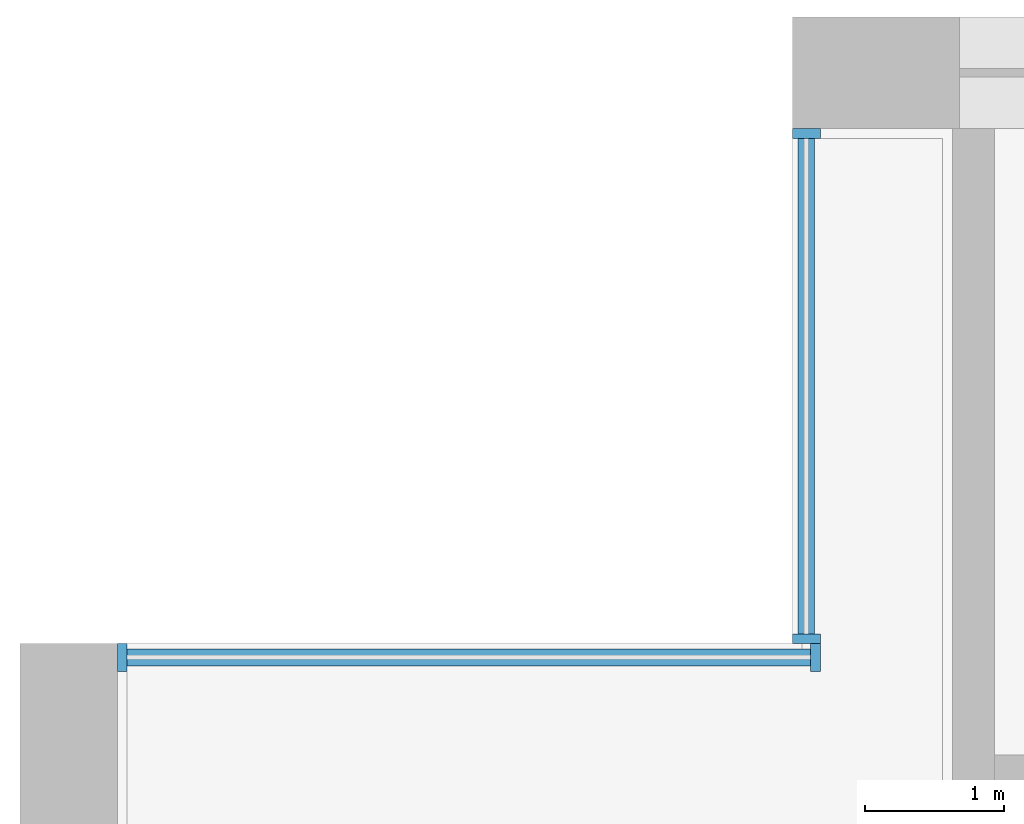
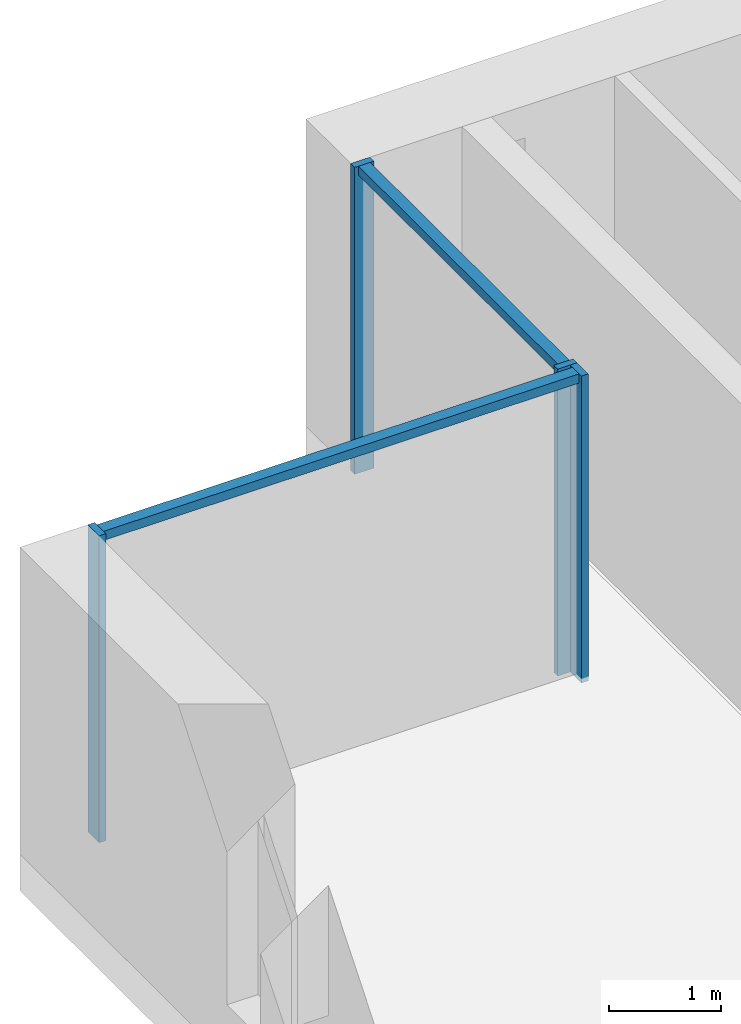
# One storey, part 4 of 15: 6 members, 2 elements without a shape of their own.
"""IFC4 building model written with IfcOpenShell, lengths in metres."""

from ifc_helpers import new_model, si_unit, direction, frame, origin, origin_2d, place, context, subcontext, project, spatial, rectangle, extrude, material, material_profile, profile_set, type_object, element, aggregate, save


model = new_model("IFC4")

# Units and contexts
model_context = context("Model", 3, precision=1e-05, world=origin(), true_north=direction((0.0, 1.0)))
body_context = subcontext(model_context, "Body", "Model", "MODEL_VIEW")
ifc_project = project(units=[si_unit("LENGTHUNIT", "METRE"), si_unit("AREAUNIT", "SQUARE_METRE"), si_unit("VOLUMEUNIT", "CUBIC_METRE"), si_unit("PLANEANGLEUNIT", "RADIAN"), si_unit("MASSUNIT", "GRAM", prefix="KILO")], contexts=[model_context])

# Site, building, storey
site_placement = place(None, origin())
site = spatial("IfcSite", under=ifc_project, at=site_placement, CompositionType="ELEMENT")
building_placement = place(site_placement, origin())
building = spatial("IfcBuilding", under=site, at=building_placement, Name="Calvaro Tower", CompositionType="ELEMENT")
storey_placement = place(building_placement, frame((0.0, 0.0, 113.75)))
storey = spatial("IfcBuildingStorey", under=building, at=storey_placement, Name="L28", CompositionType="ELEMENT", Elevation=113.75)

# Curtain wall, members
ifc_material_1 = material(Name="Anodised aluminium", Category="aluminium")
curtain_wall_type = type_object("IfcCurtainWallType", Name="Office curtain wall, middle zone", PredefinedType="NOTDEFINED", material=ifc_material_1)
curtain_wall_1_placement = place(storey_placement, origin())
curtain_wall_1 = element("IfcCurtainWall", 1, at=curtain_wall_1_placement, inside=storey, type_object=curtain_wall_type, Name="CW2 corner curtain wall", PredefinedType="NOTDEFINED")
ifc_material_2 = material(Name="Anodised aluminium", Category="aluminium")
ifc_material_profile_1 = material_profile(ifc_material_2, rectangle(XDim=0.199951171875, YDim=0.070068359375, at=origin_2d()), Name="Mullion S2 70 x 200")
ifc_profile_set_1 = profile_set([ifc_material_profile_1], Name="Anodised aluminium")
member_type_1 = type_object("IfcMemberType", Name="Mullion S2 70 x 200", PredefinedType="MULLION", material=ifc_profile_set_1)
member_1_placement = place(storey_placement, frame((5.64990234375, 41.534912109375, 0.0), z_axis=(0.0, 0.0, 1.0), x_axis=(-1.0, 0.0, 0.0)))
member_1 = element("IfcMember", 2, at=member_1_placement, type_object=member_type_1, Name="CW2 mullion 1", PredefinedType="MULLION", context=body_context, shape_type="SweptSolid", body=[
    extrude(rectangle(XDim=0.199951171875, YDim=0.070068359375, at=origin_2d()), origin(), (0.0, 0.0, 1.0), 3.35009765625),
])
member_2_placement = place(storey_placement, frame((5.64990234375, 45.1650390625, 0.0), z_axis=(0.0, 0.0, 1.0), x_axis=(-1.0, 0.0, 0.0)))
member_2 = element("IfcMember", 3, at=member_2_placement, type_object=member_type_1, Name="CW2 mullion 2", PredefinedType="MULLION", context=body_context, shape_type="SweptSolid", body=[
    extrude(rectangle(XDim=0.199951171875, YDim=0.070068359375, at=origin_2d()), origin(), (0.0, 0.0, 1.0), 3.35009765625),
])

curtain_wall_2_placement = place(storey_placement, origin())
curtain_wall_2 = element("IfcCurtainWall", 4, at=curtain_wall_2_placement, inside=storey, type_object=curtain_wall_type, Name="CW2 corner curtain wall", PredefinedType="NOTDEFINED")
member_3_placement = place(storey_placement, frame((0.735107421875, 41.39990234375, 0.0), z_axis=(0.0, 0.0, 1.0), x_axis=(0.0, 1.0, 0.0)))
member_3 = element("IfcMember", 5, at=member_3_placement, type_object=member_type_1, Name="CW2 mullion 1", PredefinedType="MULLION", context=body_context, shape_type="SweptSolid", body=[
    extrude(rectangle(XDim=0.199951171875, YDim=0.070068359375, at=origin_2d()), origin(), (0.0, 0.0, 1.0), 3.35009765625),
])
member_4_placement = place(storey_placement, frame((5.715087890625, 41.39990234375, 0.0), z_axis=(0.0, 0.0, 1.0), x_axis=(0.0, 1.0, 0.0)))
member_4 = element("IfcMember", 6, at=member_4_placement, type_object=member_type_1, Name="CW2 mullion 2", PredefinedType="MULLION", context=body_context, shape_type="SweptSolid", body=[
    extrude(rectangle(XDim=0.199951171875, YDim=0.070068359375, at=origin_2d()), origin(), (0.0, 0.0, 1.0), 3.35009765625),
])

# Member
ifc_material_3 = material(Name="Anodised aluminium", Category="aluminium")
ifc_material_profile_2 = material_profile(ifc_material_3, rectangle(XDim=0.1201171875, YDim=0.10009765625, at=origin_2d()), Name="Transom S2 100 x 120")
ifc_profile_set_2 = profile_set([ifc_material_profile_2], Name="Anodised aluminium")
member_type_2 = type_object("IfcMemberType", Name="Transom S2 100 x 120", PredefinedType="USERDEFINED", material=ifc_profile_set_2)
member_5_placement = place(storey_placement, frame((5.64990234375, 41.570068359375, 3.300048828125), z_axis=(0.0, 1.0, 0.0), x_axis=(-1.0, 0.0, 0.0)))
member_5 = element("IfcMember", 7, at=member_5_placement, type_object=member_type_2, Name="CW2 transom 1.1", ObjectType="TRANSOM", PredefinedType="USERDEFINED", context=body_context, shape_type="SweptSolid", body=[
    extrude(rectangle(XDim=0.1201171875, YDim=0.10009765625, at=origin_2d()), origin(), (0.0, 0.0, 1.0), 3.559814453125),
])

aggregate(curtain_wall_1, [member_1, member_2, member_5])

member_6_placement = place(storey_placement, frame((0.77001953125, 41.39990234375, 3.300048828125), z_axis=(1.0, 0.0, 0.0), x_axis=(0.0, 1.0, 0.0)))
member_6 = element("IfcMember", 8, at=member_6_placement, type_object=member_type_2, Name="CW2 transom 1.1", ObjectType="TRANSOM", PredefinedType="USERDEFINED", context=body_context, shape_type="SweptSolid", body=[
    extrude(rectangle(XDim=0.1201171875, YDim=0.10009765625, at=origin_2d()), origin(), (0.0, 0.0, 1.0), 4.909912109375),
])

aggregate(curtain_wall_2, [member_3, member_4, member_6])

save(model, "model.ifc")
